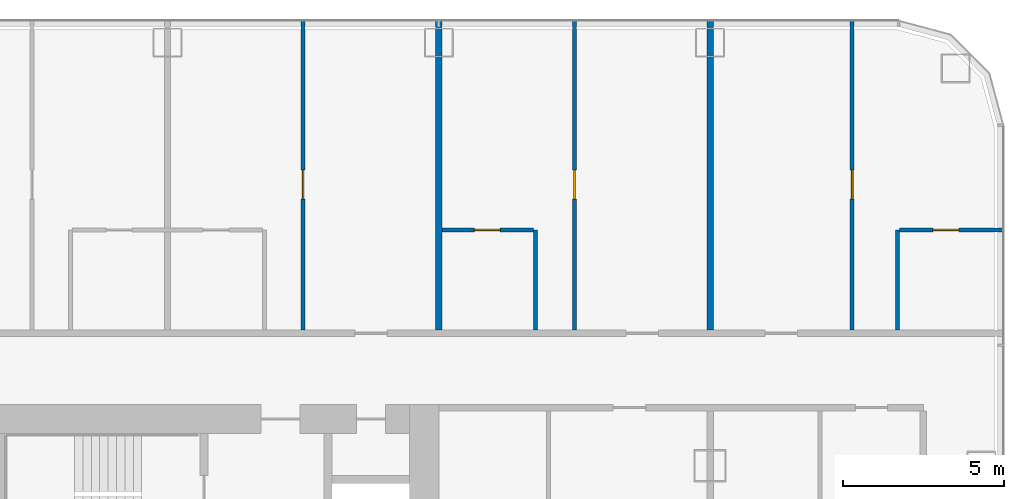
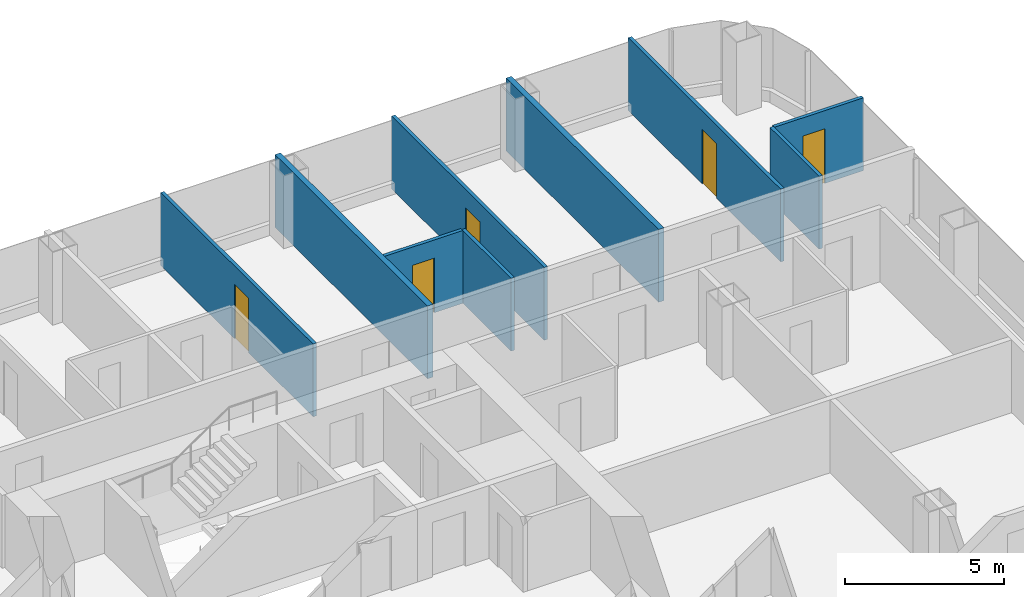
# One storey, part 19 of 28: 9 walls, 5 doors, 5 openings.
"""IFC4 building model written with IfcOpenShell, lengths in metres."""

from ifc_helpers import new_model, si_unit, direction, frame, frame_2d, origin, place, context, subcontext, project, spatial, rectangle, extrude, material, layer, layer_set, type_object, element, fill, save


model = new_model("IFC4")

# Units and contexts
model_context = context("Model", 3, precision=1e-05, world=origin(), true_north=direction((0.0, 1.0)))
body_context = subcontext(model_context, "Body", "Model", "MODEL_VIEW")
ifc_project = project(units=[si_unit("LENGTHUNIT", "METRE"), si_unit("AREAUNIT", "SQUARE_METRE"), si_unit("VOLUMEUNIT", "CUBIC_METRE"), si_unit("PLANEANGLEUNIT", "RADIAN"), si_unit("MASSUNIT", "GRAM", prefix="KILO")], contexts=[model_context])

# Site, building, storey
site_placement = place(None, origin())
site = spatial("IfcSite", under=ifc_project, at=site_placement, CompositionType="ELEMENT")
building_placement = place(site_placement, origin())
building = spatial("IfcBuilding", under=site, at=building_placement, Name="Hakoniwa Tower and Hamabe Station Hall", CompositionType="ELEMENT")
storey_placement = place(building_placement, frame((0.0, 0.0, 48.60009765625)))
storey = spatial("IfcBuildingStorey", under=building, at=storey_placement, Name="L13", CompositionType="ELEMENT", Elevation=48.60009765625)

# Wall, opening, door
ifc_material_1 = material(Name="Gypsum board partition", Category="gypsum")
ifc_layer_1 = layer(ifc_material_1, 0.125)
ifc_layer_set_1 = layer_set([ifc_layer_1], Name="Bathroom Partition 125")
wall_type_1 = type_object("IfcWallType", Name="Bathroom Partition 125", PredefinedType="PARTITIONING", material=ifc_layer_set_1)
wall_1_placement = place(storey_placement, frame((33.699951171875, 13.800048828125, 0.0), z_axis=(0.0, 0.0, 1.0), x_axis=(1.0, 0.0, 0.0)))
wall_1 = element("IfcWall", 1, at=wall_1_placement, inside=storey, type_object=wall_type_1, Name="GW-L13-030", PredefinedType="PARTITIONING", context=body_context, shape_type="SweptSolid", body=[
    extrude(rectangle(XDim=2.837646484375, YDim=0.125, at=frame_2d((1.4189453125, 0.0))), origin(), (0.0, 0.0, 1.0), 2.7998046875),
])
opening_1_placement = place(wall_1_placement, frame((1.0, 0.0, 0.0)))
opening_1 = element("IfcOpeningElement", 2, at=opening_1_placement, cuts=wall_1, Name="Opening GD-G1E1-63", PredefinedType="OPENING", context=body_context, shape_type="SweptSolid", body=[
    extrude(rectangle(XDim=0.800048828125, YDim=2.10009765625, at=frame_2d((0.39990234375, 1.050048828125))), frame((0.0, 0.072509765625, 0.0), z_axis=(0.0, -1.0, 0.0), x_axis=(1.0, 0.0, 0.0)), (0.0, 0.0, 1.0), 0.14501953125),
])
ifc_material_2 = material(Name="Timber door leaf", Category="wood")
door_type_1 = type_object("IfcDoorType", Name="Bathroom Door 800", OperationType="SINGLE_SWING_LEFT", PredefinedType="DOOR", material=ifc_material_2)
door_1_placement = place(opening_1_placement, origin())
door_1 = element("IfcDoor", 3, at=door_1_placement, inside=storey, type_object=door_type_1, Name="Door GD-G1E1-63", OperationType="SINGLE_SWING_RIGHT", OverallHeight=2.10009765625, OverallWidth=0.800048828125, PredefinedType="DOOR", context=body_context, shape_type="SweptSolid", body=[
    extrude(rectangle(XDim=0.800048828125, YDim=2.10009765625, at=frame_2d((0.39990234375, 1.050048828125))), frame((0.0, 0.02490234375, 0.0), z_axis=(0.0, -1.0, 0.0), x_axis=(1.0, 0.0, 0.0)), (0.0, 0.0, 1.0), 0.050048828125),
])
fill(opening_1, door_1)

wall_2_placement = place(storey_placement, frame((47.862548828125, 13.800048828125, 0.0), z_axis=(0.0, 0.0, 1.0), x_axis=(1.0, 0.0, 0.0)))
wall_2 = element("IfcWall", 4, at=wall_2_placement, inside=storey, type_object=wall_type_1, Name="GW-L13-031", PredefinedType="PARTITIONING", context=body_context, shape_type="SweptSolid", body=[
    extrude(rectangle(XDim=3.237548828125, YDim=0.125, at=frame_2d((1.61865234375, 0.0))), origin(), (0.0, 0.0, 1.0), 2.7998046875),
])
opening_2_placement = place(wall_2_placement, frame((1.03759765625, 0.0, 0.0)))
opening_2 = element("IfcOpeningElement", 5, at=opening_2_placement, cuts=wall_2, Name="Opening GD-G1E1-64", PredefinedType="OPENING", context=body_context, shape_type="SweptSolid", body=[
    extrude(rectangle(XDim=0.800048828125, YDim=2.10009765625, at=frame_2d((0.39990234375, 1.050048828125))), frame((0.0, 0.072509765625, 0.0), z_axis=(0.0, -1.0, 0.0), x_axis=(1.0, 0.0, 0.0)), (0.0, 0.0, 1.0), 0.14501953125),
])
door_2_placement = place(opening_2_placement, origin())
door_2 = element("IfcDoor", 6, at=door_2_placement, inside=storey, type_object=door_type_1, Name="Door GD-G1E1-64", OperationType="SINGLE_SWING_LEFT", OverallHeight=2.10009765625, OverallWidth=0.800048828125, PredefinedType="DOOR", context=body_context, shape_type="SweptSolid", body=[
    extrude(rectangle(XDim=0.800048828125, YDim=2.10009765625, at=frame_2d((0.39990234375, 1.050048828125))), frame((0.0, 0.02490234375, 0.0), z_axis=(0.0, -1.0, 0.0), x_axis=(1.0, 0.0, 0.0)), (0.0, 0.0, 1.0), 0.050048828125),
])
fill(opening_2, door_2)

# Walls
for number, where, z_axis, x_axis, name in (
    (7, (36.60009765625, 10.699951171875, 0.0), (0.0, 0.0, 1.0), (0.0, 1.0, 0.0), "GW-L13-090"),
    (8, (47.800048828125, 10.699951171875, 0.0), (0.0, 0.0, 1.0), (0.0, 1.0, 0.0), "GW-L13-100"),
):
    element("IfcWall", number, at=place(storey_placement, frame(where, z_axis=z_axis, x_axis=x_axis)), inside=storey, type_object=wall_type_1, Name=name, PredefinedType="PARTITIONING", context=body_context, shape_type="SweptSolid", body=[
        extrude(rectangle(XDim=3.10009765625, YDim=0.125, at=frame_2d((1.550048828125, 0.0))), origin(), (0.0, 0.0, 1.0), 2.7998046875),
    ])
ifc_material_3 = material(Name="Fire-rated gypsum board partition", Category="gypsum")
ifc_layer_2 = layer(ifc_material_3, 0.199951171875)
ifc_layer_set_2 = layer_set([ifc_layer_2], Name="Party Wall 200")
wall_type_2 = type_object("IfcWallType", Name="Party Wall 200", PredefinedType="PARTITIONING", material=ifc_layer_set_2)
for number, where, z_axis, x_axis, name in (
    (9, (33.60009765625, 10.699951171875, 0.0), (0.0, 0.0, 1.0), (0.0, 1.0, 0.0), "GW-L13-089"),
    (10, (42.0, 10.699951171875, 0.0), (0.0, 0.0, 1.0), (0.0, 1.0, 0.0), "GW-L13-096"),
):
    element("IfcWall", number, at=place(storey_placement, frame(where, z_axis=z_axis, x_axis=x_axis)), inside=storey, type_object=wall_type_2, Name=name, PredefinedType="PARTITIONING", context=body_context, shape_type="SweptSolid", body=[
        extrude(rectangle(XDim=9.60009765625, YDim=0.199951171875, at=frame_2d((4.800048828125, 0.0))), origin(), (0.0, 0.0, 1.0), 2.7998046875),
    ])

# Wall, opening, door
ifc_material_4 = material(Name="Gypsum board partition", Category="gypsum")
ifc_layer_3 = layer(ifc_material_4, 0.125)
ifc_layer_set_3 = layer_set([ifc_layer_3], Name="Room Partition 125")
wall_type_3 = type_object("IfcWallType", Name="Room Partition 125", PredefinedType="PARTITIONING", material=ifc_layer_set_3)
wall_3_placement = place(storey_placement, frame((29.39990234375, 10.699951171875, 0.0), z_axis=(0.0, 0.0, 1.0), x_axis=(0.0, 1.0, 0.0)))
wall_3 = element("IfcWall", 11, at=wall_3_placement, inside=storey, type_object=wall_type_3, Name="GW-L13-087", PredefinedType="PARTITIONING", context=body_context, shape_type="SweptSolid", body=[
    extrude(rectangle(XDim=9.60009765625, YDim=0.125, at=frame_2d((4.800048828125, 0.0))), origin(), (0.0, 0.0, 1.0), 2.7998046875),
])
opening_3_placement = place(wall_3_placement, frame((4.050048828125, 0.0, 0.0)))
opening_3 = element("IfcOpeningElement", 12, at=opening_3_placement, cuts=wall_3, Name="Opening GD-G1E1-74", PredefinedType="OPENING", context=body_context, shape_type="SweptSolid", body=[
    extrude(rectangle(XDim=0.89990234375, YDim=2.10009765625, at=frame_2d((0.449951171875, 1.050048828125))), frame((0.0, 0.072509765625, 0.0), z_axis=(0.0, -1.0, 0.0), x_axis=(1.0, 0.0, 0.0)), (0.0, 0.0, 1.0), 0.14501953125),
])
ifc_material_5 = material(Name="Timber door leaf", Category="wood")
door_type_2 = type_object("IfcDoorType", Name="Suite Interior Door 900", OperationType="SINGLE_SWING_LEFT", PredefinedType="DOOR", material=ifc_material_5)
door_3_placement = place(opening_3_placement, origin())
door_3 = element("IfcDoor", 13, at=door_3_placement, inside=storey, type_object=door_type_2, Name="Door GD-G1E1-74", OperationType="SINGLE_SWING_LEFT", OverallHeight=2.10009765625, OverallWidth=0.89990234375, PredefinedType="DOOR", context=body_context, shape_type="SweptSolid", body=[
    extrude(rectangle(XDim=0.89990234375, YDim=2.10009765625, at=frame_2d((0.449951171875, 1.050048828125))), frame((0.0, 0.02490234375, 0.0), z_axis=(0.0, -1.0, 0.0), x_axis=(1.0, 0.0, 0.0)), (0.0, 0.0, 1.0), 0.050048828125),
])
fill(opening_3, door_3)

wall_4_placement = place(storey_placement, frame((37.800048828125, 10.699951171875, 0.0), z_axis=(0.0, 0.0, 1.0), x_axis=(0.0, 1.0, 0.0)))
wall_4 = element("IfcWall", 14, at=wall_4_placement, inside=storey, type_object=wall_type_3, Name="GW-L13-093", PredefinedType="PARTITIONING", context=body_context, shape_type="SweptSolid", body=[
    extrude(rectangle(XDim=9.60009765625, YDim=0.125, at=frame_2d((4.800048828125, 0.0))), origin(), (0.0, 0.0, 1.0), 2.7998046875),
])
opening_4_placement = place(wall_4_placement, frame((4.050048828125, 0.0, 0.0)))
opening_4 = element("IfcOpeningElement", 15, at=opening_4_placement, cuts=wall_4, Name="Opening GD-G1E1-75", PredefinedType="OPENING", context=body_context, shape_type="SweptSolid", body=[
    extrude(rectangle(XDim=0.89990234375, YDim=2.10009765625, at=frame_2d((0.449951171875, 1.050048828125))), frame((0.0, 0.072509765625, 0.0), z_axis=(0.0, -1.0, 0.0), x_axis=(1.0, 0.0, 0.0)), (0.0, 0.0, 1.0), 0.14501953125),
])
door_4_placement = place(opening_4_placement, origin())
door_4 = element("IfcDoor", 16, at=door_4_placement, inside=storey, type_object=door_type_2, Name="Door GD-G1E1-75", OperationType="SINGLE_SWING_RIGHT", OverallHeight=2.10009765625, OverallWidth=0.89990234375, PredefinedType="DOOR", context=body_context, shape_type="SweptSolid", body=[
    extrude(rectangle(XDim=0.89990234375, YDim=2.10009765625, at=frame_2d((0.449951171875, 1.050048828125))), frame((0.0, 0.02490234375, 0.0), z_axis=(0.0, -1.0, 0.0), x_axis=(1.0, 0.0, 0.0)), (0.0, 0.0, 1.0), 0.050048828125),
])
fill(opening_4, door_4)

wall_5_placement = place(storey_placement, frame((46.39990234375, 10.699951171875, 0.0), z_axis=(0.0, 0.0, 1.0), x_axis=(0.0, 1.0, 0.0)))
wall_5 = element("IfcWall", 17, at=wall_5_placement, inside=storey, type_object=wall_type_3, Name="GW-L13-099", PredefinedType="PARTITIONING", context=body_context, shape_type="SweptSolid", body=[
    extrude(rectangle(XDim=9.60009765625, YDim=0.125, at=frame_2d((4.800048828125, 0.0))), origin(), (0.0, 0.0, 1.0), 2.7998046875),
])
opening_5_placement = place(wall_5_placement, frame((4.050048828125, 0.0, 0.0)))
opening_5 = element("IfcOpeningElement", 18, at=opening_5_placement, cuts=wall_5, Name="Opening GD-G1E1-77", PredefinedType="OPENING", context=body_context, shape_type="SweptSolid", body=[
    extrude(rectangle(XDim=0.89990234375, YDim=2.10009765625, at=frame_2d((0.449951171875, 1.050048828125))), frame((0.0, 0.072509765625, 0.0), z_axis=(0.0, -1.0, 0.0), x_axis=(1.0, 0.0, 0.0)), (0.0, 0.0, 1.0), 0.14501953125),
])
door_5_placement = place(opening_5_placement, origin())
door_5 = element("IfcDoor", 19, at=door_5_placement, inside=storey, type_object=door_type_2, Name="Door GD-G1E1-77", OperationType="SINGLE_SWING_LEFT", OverallHeight=2.10009765625, OverallWidth=0.89990234375, PredefinedType="DOOR", context=body_context, shape_type="SweptSolid", body=[
    extrude(rectangle(XDim=0.89990234375, YDim=2.10009765625, at=frame_2d((0.449951171875, 1.050048828125))), frame((0.0, 0.02490234375, 0.0), z_axis=(0.0, -1.0, 0.0), x_axis=(1.0, 0.0, 0.0)), (0.0, 0.0, 1.0), 0.050048828125),
])
fill(opening_5, door_5)

save(model, "model.ifc")
